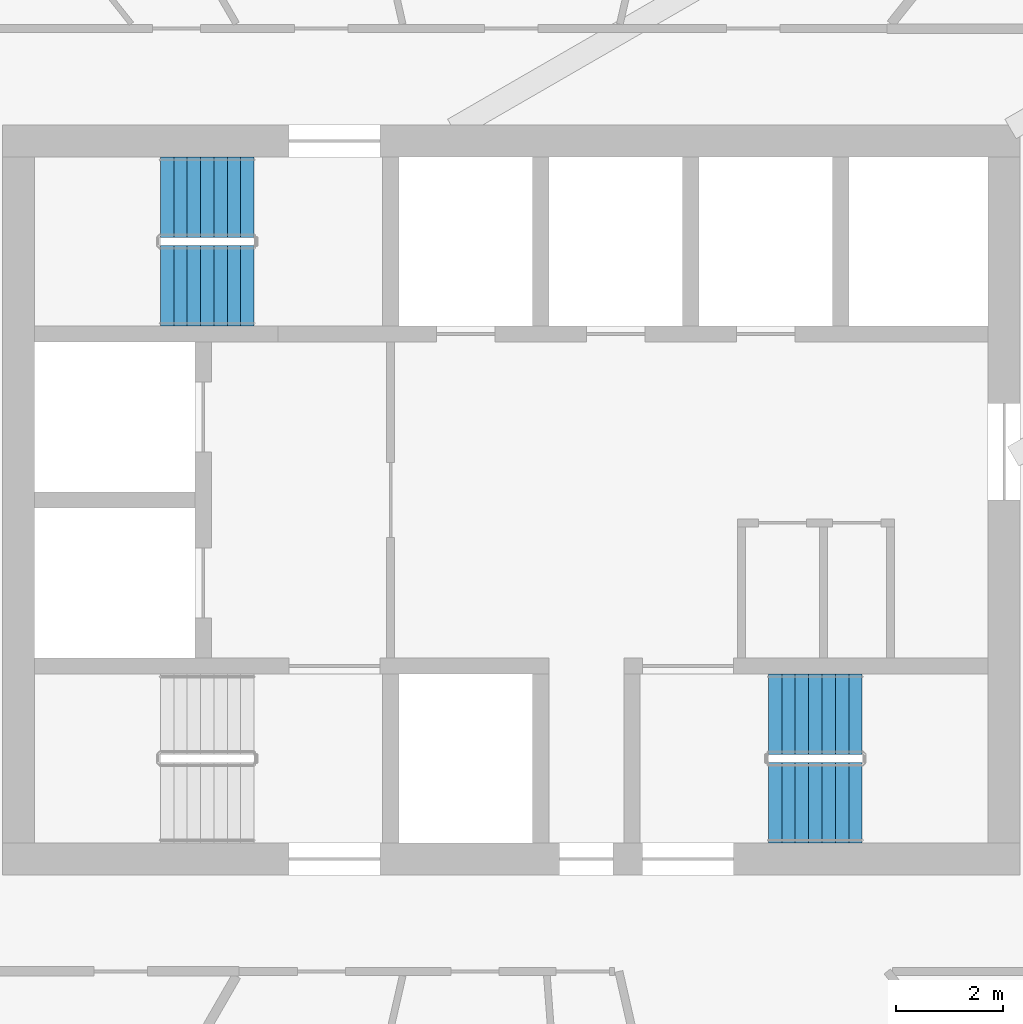
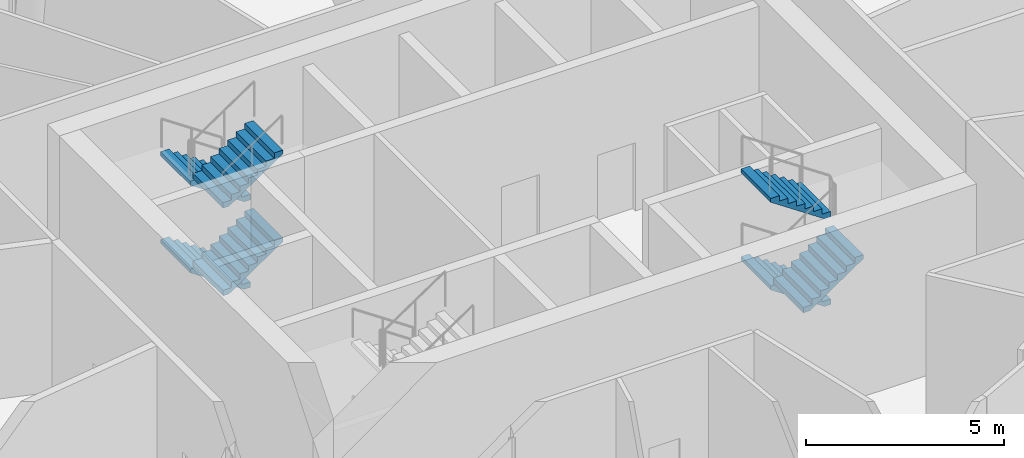
# One storey, part 8 of 10: 7 stair flights, 2 elements without a shape of their own.
"""IFC4 building model written with IfcOpenShell, lengths in metres."""

import ifcopenshell
import ifcopenshell.guid

model = None  # the IFC model being written
_history = None  # IfcOwnerHistory: only IFC2X3 demands one
_inside = {}  # id of a spatial element -> (the spatial element, [elements in it])
_under = {}  # id of a project, library or spatial element -> (it, [spatial elements below it])
_declared = {}  # id of a project -> (the project, [libraries it declares])
_typed = {}  # id of a type object -> (the type object, [elements of that type])
_made_of = {}  # id of a material, layer set ... -> (it, [elements and type objects made of it])


def new_model(schema):
    """Start an empty IFC model of exactly this schema.

    Asked for "IFC4X3", IfcOpenShell would pick the latest addendum, in which some entities
    have other attributes; the version numbers below select the first issue.
    IFC2X3 requires an IfcOwnerHistory on every rooted entity: one is made here for all.
    """
    global model, _history
    if schema == "IFC4X3":
        model = ifcopenshell.file(schema_version=(4, 3, 0, 0))
    else:
        model = ifcopenshell.file(schema=schema)
    _inside.clear()
    _under.clear()
    _declared.clear()
    _typed.clear()
    _made_of.clear()
    _history = None
    if model.schema == "IFC2X3":
        org = make("IfcOrganization", Name="unknown")
        user = make(
            "IfcPersonAndOrganization",
            ThePerson=make("IfcPerson", FamilyName="unknown"),
            TheOrganization=org,
        )
        app = make(
            "IfcApplication",
            ApplicationDeveloper=org,
            Version="unknown",
            ApplicationFullName="unknown",
            ApplicationIdentifier="unknown",
        )
        _history = make(
            "IfcOwnerHistory",
            OwningUser=user,
            OwningApplication=app,
            ChangeAction="ADDED",
            CreationDate=0,
        )
    return model


def make(cls, **values):
    """One entity of the class cls with the attributes given. An attribute that is None is left unset."""
    return model.create_entity(
        cls, **{name: value for name, value in values.items() if value is not None}
    )


def rooted(cls, **values):
    """An entity with a GlobalId (a new one), such as an element, a storey or a relation."""
    return make(cls, GlobalId=ifcopenshell.guid.new(), OwnerHistory=_history, **values)


def si_unit(unit_type, name, prefix=None):
    """IfcSIUnit, for example si_unit("LENGTHUNIT", "METRE", prefix="MILLI")."""
    return make("IfcSIUnit", UnitType=unit_type, Prefix=prefix, Name=name)


def assignment(units):
    """IfcUnitAssignment: the units of a project."""
    return None if units is None else make("IfcUnitAssignment", Units=units)


def point(xyz):
    """IfcCartesianPoint."""
    return None if xyz is None else make("IfcCartesianPoint", Coordinates=xyz)


def direction(xyz):
    """IfcDirection."""
    return None if xyz is None else make("IfcDirection", DirectionRatios=xyz)


def frame(location, z_axis=None, x_axis=None):
    """IfcAxis2Placement3D, a coordinate frame: its origin and axes. An axis left out is left unset."""
    return make(
        "IfcAxis2Placement3D",
        Location=point(location),
        Axis=direction(z_axis),
        RefDirection=direction(x_axis),
    )


def origin():
    """The frame at (0, 0, 0) with its axes left unset."""
    return frame((0.0, 0.0, 0.0))


def place(relative_to, where):
    """IfcLocalPlacement: puts the frame where relative to a parent placement (None: the world)."""
    return make(
        "IfcLocalPlacement", PlacementRelTo=relative_to, RelativePlacement=where
    )


def context(
    kind, dimensions, precision=None, world=None, true_north=None, identifier=None
):
    """IfcGeometricRepresentationContext, for example the 3D "Model" context."""
    return make(
        "IfcGeometricRepresentationContext",
        ContextIdentifier=identifier,
        ContextType=kind,
        CoordinateSpaceDimension=dimensions,
        Precision=precision,
        WorldCoordinateSystem=world,
        TrueNorth=true_north,
    )


def subcontext(parent, identifier, kind, view, scale=None):
    """IfcGeometricRepresentationSubContext, for example "Body" below "Model"."""
    return make(
        "IfcGeometricRepresentationSubContext",
        ContextIdentifier=identifier,
        ContextType=kind,
        ParentContext=parent,
        TargetScale=scale,
        TargetView=view,
    )


def project(units=None, contexts=None):
    """IfcProject with its units and contexts."""
    return rooted(
        "IfcProject",
        Name="project",
        RepresentationContexts=contexts,
        UnitsInContext=assignment(units),
    )


def spatial(cls, under=None, at=None, **own):
    """A site, building, storey or space (cls), placed at a placement, below another one or the project."""
    s = rooted(cls, ObjectPlacement=at, **own)
    if under is not None:
        _under.setdefault(under.id(), (under, []))[1].append(s)
    return s


def polyline(points):
    """IfcPolyline through the points."""
    return make("IfcPolyline", Points=[point(p) for p in points])


def outline(outer, holes=None, kind="AREA"):
    """IfcArbitraryClosedProfileDef: a profile drawn as a closed curve; with holes, ...WithVoids."""
    if holes is None:
        return make("IfcArbitraryClosedProfileDef", ProfileType=kind, OuterCurve=outer)
    return make(
        "IfcArbitraryProfileDefWithVoids",
        ProfileType=kind,
        OuterCurve=outer,
        InnerCurves=holes,
    )


def extrude(swept, where, along, depth):
    """IfcExtrudedAreaSolid: the profile swept, set in the frame where, extruded along a direction by depth."""
    return make(
        "IfcExtrudedAreaSolid",
        SweptArea=swept,
        Position=where,
        ExtrudedDirection=direction(along),
        Depth=depth,
    )


def shape(context_of_items, identifier, shape_type, items):
    """IfcShapeRepresentation: the items that make up one representation, for example the "Body"."""
    return make(
        "IfcShapeRepresentation",
        ContextOfItems=context_of_items,
        RepresentationIdentifier=identifier,
        RepresentationType=shape_type,
        Items=items,
    )


def material(Name=None, Category=None):
    """IfcMaterial."""
    return make("IfcMaterial", Name=Name, Category=Category)


def made_of(thing, what):
    """Note that an element or type object is made of a material, layer set ...; save() writes the relation."""
    if what is not None:
        _made_of.setdefault(what.id(), (what, []))[1].append(thing)
    return thing


def type_object(cls, material=None, **own):
    """A type object (cls), such as IfcWallType, which elements share."""
    return made_of(rooted(cls, **own), material)


def element(
    cls,
    number,
    at=None,
    inside=None,
    cuts=None,
    type_object=None,
    material=None,
    context=None,
    identifier="Body",
    shape_type=None,
    held_by="IfcProductDefinitionShape",
    body=None,
    shapes=None,
    **own,
):
    """One element of the class cls, such as IfcWall. Its Tag is "e" and its number.

    at: its placement. inside: the storey or other place that contains it. cuts: it is an
    opening in that element (IfcRelVoidsElement). A single representation is given by context,
    identifier, shape_type and body (its items); several are given by shapes. held_by: the class
    of the entity that holds the representations. save() writes the other relations.
    """
    e = rooted(cls, Tag="e%d" % number, ObjectPlacement=at, **own)
    if body is not None:
        shapes = [shape(context, identifier, shape_type, body)]
    if shapes is not None:
        e.Representation = make(held_by, Representations=shapes)
    if inside is not None:
        _inside.setdefault(inside.id(), (inside, []))[1].append(e)
    if cuts is not None:
        rooted(
            "IfcRelVoidsElement", RelatingBuildingElement=cuts, RelatedOpeningElement=e
        )
    if type_object is not None:
        _typed.setdefault(type_object.id(), (type_object, []))[1].append(e)
    return made_of(e, material)


def aggregate(whole, parts):
    """IfcRelAggregates: a whole, such as a stair, and the parts it consists of."""
    return rooted("IfcRelAggregates", RelatingObject=whole, RelatedObjects=parts)


def save(model, path):
    """Write the relations noted so far, then the file.

    IfcRelAggregates (storeys below a building ...), IfcRelContainedInSpatialStructure (elements
    in a storey), IfcRelDefinesByType, IfcRelAssociatesMaterial and IfcRelDeclares: one each for
    every whole, place, type object, material and project.
    """
    for whole, parts in _under.values():
        aggregate(whole, parts)
    for where, things in _inside.values():
        rooted(
            "IfcRelContainedInSpatialStructure",
            RelatedElements=things,
            RelatingStructure=where,
        )
    for kind, things in _typed.values():
        rooted("IfcRelDefinesByType", RelatedObjects=things, RelatingType=kind)
    for what, things in _made_of.values():
        rooted("IfcRelAssociatesMaterial", RelatedObjects=things, RelatingMaterial=what)
    for by, libraries in _declared.values():
        rooted("IfcRelDeclares", RelatingContext=by, RelatedDefinitions=libraries)
    model.write(path)


model = new_model("IFC4")

# Units and contexts
model_context = context("Model", 3, precision=1e-05, world=origin(), true_north=direction((0.0, 1.0)))
body_context = subcontext(model_context, "Body", "Model", "MODEL_VIEW")
ifc_project = project(units=[si_unit("LENGTHUNIT", "METRE"), si_unit("AREAUNIT", "SQUARE_METRE"), si_unit("VOLUMEUNIT", "CUBIC_METRE"), si_unit("PLANEANGLEUNIT", "RADIAN"), si_unit("MASSUNIT", "GRAM", prefix="KILO")], contexts=[model_context])

# Site, building, storey
site_placement = place(None, origin())
site = spatial("IfcSite", under=ifc_project, at=site_placement, CompositionType="ELEMENT")
building_placement = place(site_placement, origin())
building = spatial("IfcBuilding", under=site, at=building_placement, Name="Tracery Tower", CompositionType="ELEMENT")
storey_placement = place(building_placement, frame((0.0, 0.0, 341.39990234375)))
storey = spatial("IfcBuildingStorey", under=building, at=storey_placement, Name="L88", CompositionType="ELEMENT", Elevation=341.39990234375)

# Stair, stair flights
ifc_material_1 = material(Name="Concrete C32/40", Category="concrete")
stair_type = type_object("IfcStairType", Name="Core stair 32 risers", PredefinedType="HALF_TURN_STAIR", material=ifc_material_1)
stair_1_placement = place(storey_placement, origin())
stair_1 = element("IfcStair", 1, at=stair_1_placement, inside=storey, type_object=stair_type, Name="L88 stair ST3", PredefinedType="HALF_TURN_STAIR")
ifc_material_2 = material(Name="Concrete C32/40", Category="concrete")
stair_flight_type = type_object("IfcStairFlightType", Name="Core stair flight 8 risers", PredefinedType="STRAIGHT", material=ifc_material_2)
stair_flight_1_placement = place(storey_placement, frame((-4.800048828125, 5.64990234375, 0.0), z_axis=(0.0, 0.0, 1.0), x_axis=(-1.0, 0.0, 0.0)))
stair_flight_1 = element("IfcStairFlight", 2, at=stair_flight_1_placement, type_object=stair_flight_type, Name="ST3 flight 1", NumberOfRisers=8, NumberOfTreads=7, PredefinedType="STRAIGHT", RiserHeight=0.16875, TreadLength=0.25, context=body_context, shape_type="SweptSolid", body=[
    extrude(outline(polyline([(0.0, 0.0), (0.0, 0.002685546875), (0.0, 0.005615234375), (0.0, 0.00830078125), (0.0, 0.010986328125), (0.0, 0.013916015625), (0.0, 0.0166015625), (0.0, 0.019287109375), (0.0, 0.022216796875), (0.0, 0.02490234375), (0.0, 0.027587890625), (0.0, 0.030517578125), (0.0, 0.033203125), (0.0, 0.035888671875), (0.0, 0.038818359375), (0.0, 0.04150390625), (0.0, 0.044189453125), (0.0, 0.047119140625), (0.0, 0.0498046875), (0.0, 0.052490234375), (0.0, 0.055419921875), (0.0, 0.05810546875), (0.0, 0.060791015625), (0.0, 0.063720703125), (0.0, 0.06640625), (0.0, 0.069091796875), (0.0, 0.072021484375), (0.0, 0.07470703125), (0.0, 0.077392578125), (0.0, 0.080322265625), (0.0, 0.0830078125), (0.0, 0.085693359375), (0.0, 0.088623046875), (0.0, 0.09130859375), (0.0, 0.093994140625), (0.0, 0.096923828125), (0.0, 0.099609375), (0.0, 0.102294921875), (0.0, 0.105224609375), (0.0, 0.10791015625), (0.0, 0.110595703125), (0.0, 0.113525390625), (0.0, 0.1162109375), (0.0, 0.118896484375), (0.0, 0.121826171875), (0.0, 0.12451171875), (0.0, 0.127197265625), (0.0, 0.130126953125), (0.0, 0.1328125), (0.0, 0.135498046875), (0.0, 0.138427734375), (0.0, 0.14111328125), (0.0, 0.143798828125), (0.0, 0.146728515625), (0.0, 0.1494140625), (0.0, 0.152099609375), (0.0, 0.155029296875), (0.0, 0.15771484375), (0.0, 0.160400390625), (0.0, 0.163330078125), (0.0, 0.166015625), (0.0, 0.168701171875), (0.25, 0.168701171875), (0.25, 0.33740234375), (0.5, 0.33740234375), (0.5, 0.50634765625), (0.75, 0.50634765625), (0.75, 0.675048828125), (1.0, 0.675048828125), (1.0, 0.84375), (1.25, 0.84375), (1.25, 1.012451171875), (1.5, 1.012451171875), (1.5, 1.18115234375), (1.75, 1.18115234375), (1.75, 1.17919921875), (1.75, 1.17724609375), (1.75, 1.17529296875), (1.75, 1.17333984375), (1.75, 1.17138671875), (1.75, 1.16943359375), (1.75, 1.16748046875), (1.75, 1.16552734375), (1.75, 1.163330078125), (1.75, 1.161376953125), (1.75, 1.159423828125), (1.75, 1.157470703125), (1.75, 1.155517578125), (1.75, 1.153564453125), (1.75, 1.151611328125), (1.75, 1.149658203125), (1.75, 1.147705078125), (1.75, 1.1455078125), (1.75, 1.1435546875), (1.75, 1.1416015625), (1.75, 1.1396484375), (1.75, 1.1376953125), (1.75, 1.1357421875), (1.75, 1.1337890625), (1.75, 1.1318359375), (1.75, 1.1298828125), (1.75, 1.127685546875), (1.75, 1.125732421875), (1.75, 1.123779296875), (1.75, 1.121826171875), (1.75, 1.119873046875), (1.75, 1.117919921875), (1.75, 1.115966796875), (1.75, 1.114013671875), (1.75, 1.112060546875), (1.75, 1.10986328125), (1.75, 1.10791015625), (1.75, 1.10595703125), (1.75, 1.10400390625), (1.75, 1.10205078125), (1.75, 1.10009765625), (1.75, 1.09814453125), (1.75, 1.09619140625), (1.75, 1.09423828125), (1.75, 1.092041015625), (1.75, 1.090087890625), (1.75, 1.088134765625), (1.75, 1.086181640625), (1.75, 1.084228515625), (1.75, 1.082275390625), (1.75, 1.080322265625), (1.75, 1.078369140625), (1.75, 1.076416015625), (1.75, 1.074462890625), (1.75, 1.072265625), (1.75, 1.0703125), (1.75, 1.068359375), (1.75, 1.06640625), (1.75, 1.064453125), (1.75, 1.0625), (1.75, 1.060546875), (0.178955078125, 0.0), (0.0, 0.0)])), frame((0.0, 0.75, 0.0), z_axis=(0.0, -1.0, 0.0), x_axis=(1.0, 0.0, 0.0)), (0.0, 0.0, 1.0), 1.5),
])
stair_flight_2_placement = place(storey_placement, frame((-6.550048828125, 4.0, 1.35009765625), z_axis=(0.0, 0.0, 1.0), x_axis=(1.0, 0.0, 0.0)))
stair_flight_2 = element("IfcStairFlight", 3, at=stair_flight_2_placement, type_object=stair_flight_type, Name="ST3 flight 2", NumberOfRisers=8, NumberOfTreads=7, PredefinedType="STRAIGHT", RiserHeight=0.16875, TreadLength=0.25, context=body_context, shape_type="SweptSolid", body=[
    extrude(outline(polyline([(0.0, 0.0), (0.0, 0.002685546875), (0.0, 0.005615234375), (0.0, 0.00830078125), (0.0, 0.010986328125), (0.0, 0.013916015625), (0.0, 0.0166015625), (0.0, 0.019287109375), (0.0, 0.022216796875), (0.0, 0.02490234375), (0.0, 0.027587890625), (0.0, 0.030517578125), (0.0, 0.033203125), (0.0, 0.035888671875), (0.0, 0.038818359375), (0.0, 0.04150390625), (0.0, 0.044189453125), (0.0, 0.047119140625), (0.0, 0.0498046875), (0.0, 0.052490234375), (0.0, 0.055419921875), (0.0, 0.05810546875), (0.0, 0.060791015625), (0.0, 0.063720703125), (0.0, 0.06640625), (0.0, 0.069091796875), (0.0, 0.072021484375), (0.0, 0.07470703125), (0.0, 0.077392578125), (0.0, 0.080322265625), (0.0, 0.0830078125), (0.0, 0.085693359375), (0.0, 0.088623046875), (0.0, 0.09130859375), (0.0, 0.093994140625), (0.0, 0.096923828125), (0.0, 0.099609375), (0.0, 0.102294921875), (0.0, 0.105224609375), (0.0, 0.10791015625), (0.0, 0.110595703125), (0.0, 0.113525390625), (0.0, 0.1162109375), (0.0, 0.118896484375), (0.0, 0.121826171875), (0.0, 0.12451171875), (0.0, 0.127197265625), (0.0, 0.130126953125), (0.0, 0.1328125), (0.0, 0.135498046875), (0.0, 0.138427734375), (0.0, 0.14111328125), (0.0, 0.143798828125), (0.0, 0.146728515625), (0.0, 0.1494140625), (0.0, 0.152099609375), (0.0, 0.155029296875), (0.0, 0.15771484375), (0.0, 0.160400390625), (0.0, 0.163330078125), (0.0, 0.166015625), (0.0, 0.168701171875), (0.25, 0.168701171875), (0.25, 0.33740234375), (0.5, 0.33740234375), (0.5, 0.50634765625), (0.75, 0.50634765625), (0.75, 0.675048828125), (1.0, 0.675048828125), (1.0, 0.84375), (1.25, 0.84375), (1.25, 1.012451171875), (1.5, 1.012451171875), (1.5, 1.18115234375), (1.75, 1.18115234375), (1.75, 1.17919921875), (1.75, 1.17724609375), (1.75, 1.17529296875), (1.75, 1.17333984375), (1.75, 1.17138671875), (1.75, 1.16943359375), (1.75, 1.16748046875), (1.75, 1.16552734375), (1.75, 1.163330078125), (1.75, 1.161376953125), (1.75, 1.159423828125), (1.75, 1.157470703125), (1.75, 1.155517578125), (1.75, 1.153564453125), (1.75, 1.151611328125), (1.75, 1.149658203125), (1.75, 1.147705078125), (1.75, 1.1455078125), (1.75, 1.1435546875), (1.75, 1.1416015625), (1.75, 1.1396484375), (1.75, 1.1376953125), (1.75, 1.1357421875), (1.75, 1.1337890625), (1.75, 1.1318359375), (1.75, 1.1298828125), (1.75, 1.127685546875), (1.75, 1.125732421875), (1.75, 1.123779296875), (1.75, 1.121826171875), (1.75, 1.119873046875), (1.75, 1.117919921875), (1.75, 1.115966796875), (1.75, 1.114013671875), (1.75, 1.112060546875), (1.75, 1.10986328125), (1.75, 1.10791015625), (1.75, 1.10595703125), (1.75, 1.10400390625), (1.75, 1.10205078125), (1.75, 1.10009765625), (1.75, 1.09814453125), (1.75, 1.09619140625), (1.75, 1.09423828125), (1.75, 1.092041015625), (1.75, 1.090087890625), (1.75, 1.088134765625), (1.75, 1.086181640625), (1.75, 1.084228515625), (1.75, 1.082275390625), (1.75, 1.080322265625), (1.75, 1.078369140625), (1.75, 1.076416015625), (1.75, 1.074462890625), (1.75, 1.072265625), (1.75, 1.0703125), (1.75, 1.068359375), (1.75, 1.06640625), (1.75, 1.064453125), (1.75, 1.0625), (1.75, 1.060546875), (0.178955078125, 0.0), (0.0, 0.0)])), frame((0.0, 0.75, 0.0), z_axis=(0.0, -1.0, 0.0), x_axis=(1.0, 0.0, 0.0)), (0.0, 0.0, 1.0), 1.5),
])
stair_flight_3_placement = place(storey_placement, frame((-4.800048828125, 5.64990234375, 2.7001953125), z_axis=(0.0, 0.0, 1.0), x_axis=(-1.0, 0.0, 0.0)))
stair_flight_3 = element("IfcStairFlight", 4, at=stair_flight_3_placement, type_object=stair_flight_type, Name="ST3 flight 3", NumberOfRisers=8, NumberOfTreads=7, PredefinedType="STRAIGHT", RiserHeight=0.16875, TreadLength=0.25, context=body_context, shape_type="SweptSolid", body=[
    extrude(outline(polyline([(0.0, 0.0), (0.0, 0.002685546875), (0.0, 0.005615234375), (0.0, 0.00830078125), (0.0, 0.010986328125), (0.0, 0.013916015625), (0.0, 0.0166015625), (0.0, 0.019287109375), (0.0, 0.022216796875), (0.0, 0.02490234375), (0.0, 0.027587890625), (0.0, 0.030517578125), (0.0, 0.033203125), (0.0, 0.035888671875), (0.0, 0.038818359375), (0.0, 0.04150390625), (0.0, 0.044189453125), (0.0, 0.047119140625), (0.0, 0.0498046875), (0.0, 0.052490234375), (0.0, 0.055419921875), (0.0, 0.05810546875), (0.0, 0.060791015625), (0.0, 0.063720703125), (0.0, 0.06640625), (0.0, 0.069091796875), (0.0, 0.072021484375), (0.0, 0.07470703125), (0.0, 0.077392578125), (0.0, 0.080322265625), (0.0, 0.0830078125), (0.0, 0.085693359375), (0.0, 0.088623046875), (0.0, 0.09130859375), (0.0, 0.093994140625), (0.0, 0.096923828125), (0.0, 0.099609375), (0.0, 0.102294921875), (0.0, 0.105224609375), (0.0, 0.10791015625), (0.0, 0.110595703125), (0.0, 0.113525390625), (0.0, 0.1162109375), (0.0, 0.118896484375), (0.0, 0.121826171875), (0.0, 0.12451171875), (0.0, 0.127197265625), (0.0, 0.130126953125), (0.0, 0.1328125), (0.0, 0.135498046875), (0.0, 0.138427734375), (0.0, 0.14111328125), (0.0, 0.143798828125), (0.0, 0.146728515625), (0.0, 0.1494140625), (0.0, 0.152099609375), (0.0, 0.155029296875), (0.0, 0.15771484375), (0.0, 0.160400390625), (0.0, 0.163330078125), (0.0, 0.166015625), (0.0, 0.168701171875), (0.25, 0.168701171875), (0.25, 0.33740234375), (0.5, 0.33740234375), (0.5, 0.50634765625), (0.75, 0.50634765625), (0.75, 0.675048828125), (1.0, 0.675048828125), (1.0, 0.84375), (1.25, 0.84375), (1.25, 1.012451171875), (1.5, 1.012451171875), (1.5, 1.18115234375), (1.75, 1.18115234375), (1.75, 1.17919921875), (1.75, 1.17724609375), (1.75, 1.17529296875), (1.75, 1.17333984375), (1.75, 1.17138671875), (1.75, 1.16943359375), (1.75, 1.16748046875), (1.75, 1.16552734375), (1.75, 1.163330078125), (1.75, 1.161376953125), (1.75, 1.159423828125), (1.75, 1.157470703125), (1.75, 1.155517578125), (1.75, 1.153564453125), (1.75, 1.151611328125), (1.75, 1.149658203125), (1.75, 1.147705078125), (1.75, 1.1455078125), (1.75, 1.1435546875), (1.75, 1.1416015625), (1.75, 1.1396484375), (1.75, 1.1376953125), (1.75, 1.1357421875), (1.75, 1.1337890625), (1.75, 1.1318359375), (1.75, 1.1298828125), (1.75, 1.127685546875), (1.75, 1.125732421875), (1.75, 1.123779296875), (1.75, 1.121826171875), (1.75, 1.119873046875), (1.75, 1.117919921875), (1.75, 1.115966796875), (1.75, 1.114013671875), (1.75, 1.112060546875), (1.75, 1.10986328125), (1.75, 1.10791015625), (1.75, 1.10595703125), (1.75, 1.10400390625), (1.75, 1.10205078125), (1.75, 1.10009765625), (1.75, 1.09814453125), (1.75, 1.09619140625), (1.75, 1.09423828125), (1.75, 1.092041015625), (1.75, 1.090087890625), (1.75, 1.088134765625), (1.75, 1.086181640625), (1.75, 1.084228515625), (1.75, 1.082275390625), (1.75, 1.080322265625), (1.75, 1.078369140625), (1.75, 1.076416015625), (1.75, 1.074462890625), (1.75, 1.072265625), (1.75, 1.0703125), (1.75, 1.068359375), (1.75, 1.06640625), (1.75, 1.064453125), (1.75, 1.0625), (1.75, 1.060546875), (0.178955078125, 0.0), (0.0, 0.0)])), frame((0.0, 0.75, 0.0), z_axis=(0.0, -1.0, 0.0), x_axis=(1.0, 0.0, 0.0)), (0.0, 0.0, 1.0), 1.5),
])
stair_flight_4_placement = place(storey_placement, frame((-6.550048828125, 4.0, 4.050048828125), z_axis=(0.0, 0.0, 1.0), x_axis=(1.0, 0.0, 0.0)))
stair_flight_4 = element("IfcStairFlight", 5, at=stair_flight_4_placement, type_object=stair_flight_type, Name="ST3 flight 4", NumberOfRisers=8, NumberOfTreads=7, PredefinedType="STRAIGHT", RiserHeight=0.16875, TreadLength=0.25, context=body_context, shape_type="SweptSolid", body=[
    extrude(outline(polyline([(0.0, 0.0), (0.0, 0.002685546875), (0.0, 0.005615234375), (0.0, 0.00830078125), (0.0, 0.010986328125), (0.0, 0.013916015625), (0.0, 0.0166015625), (0.0, 0.019287109375), (0.0, 0.022216796875), (0.0, 0.02490234375), (0.0, 0.027587890625), (0.0, 0.030517578125), (0.0, 0.033203125), (0.0, 0.035888671875), (0.0, 0.038818359375), (0.0, 0.04150390625), (0.0, 0.044189453125), (0.0, 0.047119140625), (0.0, 0.0498046875), (0.0, 0.052490234375), (0.0, 0.055419921875), (0.0, 0.05810546875), (0.0, 0.060791015625), (0.0, 0.063720703125), (0.0, 0.06640625), (0.0, 0.069091796875), (0.0, 0.072021484375), (0.0, 0.07470703125), (0.0, 0.077392578125), (0.0, 0.080322265625), (0.0, 0.0830078125), (0.0, 0.085693359375), (0.0, 0.088623046875), (0.0, 0.09130859375), (0.0, 0.093994140625), (0.0, 0.096923828125), (0.0, 0.099609375), (0.0, 0.102294921875), (0.0, 0.105224609375), (0.0, 0.10791015625), (0.0, 0.110595703125), (0.0, 0.113525390625), (0.0, 0.1162109375), (0.0, 0.118896484375), (0.0, 0.121826171875), (0.0, 0.12451171875), (0.0, 0.127197265625), (0.0, 0.130126953125), (0.0, 0.1328125), (0.0, 0.135498046875), (0.0, 0.138427734375), (0.0, 0.14111328125), (0.0, 0.143798828125), (0.0, 0.146728515625), (0.0, 0.1494140625), (0.0, 0.152099609375), (0.0, 0.155029296875), (0.0, 0.15771484375), (0.0, 0.160400390625), (0.0, 0.163330078125), (0.0, 0.166015625), (0.0, 0.168701171875), (0.25, 0.168701171875), (0.25, 0.33740234375), (0.5, 0.33740234375), (0.5, 0.50634765625), (0.75, 0.50634765625), (0.75, 0.675048828125), (1.0, 0.675048828125), (1.0, 0.84375), (1.25, 0.84375), (1.25, 1.012451171875), (1.5, 1.012451171875), (1.5, 1.18115234375), (1.75, 1.18115234375), (1.75, 1.17919921875), (1.75, 1.17724609375), (1.75, 1.17529296875), (1.75, 1.17333984375), (1.75, 1.17138671875), (1.75, 1.16943359375), (1.75, 1.16748046875), (1.75, 1.16552734375), (1.75, 1.163330078125), (1.75, 1.161376953125), (1.75, 1.159423828125), (1.75, 1.157470703125), (1.75, 1.155517578125), (1.75, 1.153564453125), (1.75, 1.151611328125), (1.75, 1.149658203125), (1.75, 1.147705078125), (1.75, 1.1455078125), (1.75, 1.1435546875), (1.75, 1.1416015625), (1.75, 1.1396484375), (1.75, 1.1376953125), (1.75, 1.1357421875), (1.75, 1.1337890625), (1.75, 1.1318359375), (1.75, 1.1298828125), (1.75, 1.127685546875), (1.75, 1.125732421875), (1.75, 1.123779296875), (1.75, 1.121826171875), (1.75, 1.119873046875), (1.75, 1.117919921875), (1.75, 1.115966796875), (1.75, 1.114013671875), (1.75, 1.112060546875), (1.75, 1.10986328125), (1.75, 1.10791015625), (1.75, 1.10595703125), (1.75, 1.10400390625), (1.75, 1.10205078125), (1.75, 1.10009765625), (1.75, 1.09814453125), (1.75, 1.09619140625), (1.75, 1.09423828125), (1.75, 1.092041015625), (1.75, 1.090087890625), (1.75, 1.088134765625), (1.75, 1.086181640625), (1.75, 1.084228515625), (1.75, 1.082275390625), (1.75, 1.080322265625), (1.75, 1.078369140625), (1.75, 1.076416015625), (1.75, 1.074462890625), (1.75, 1.072265625), (1.75, 1.0703125), (1.75, 1.068359375), (1.75, 1.06640625), (1.75, 1.064453125), (1.75, 1.0625), (1.75, 1.060546875), (0.178955078125, 0.0), (0.0, 0.0)])), frame((0.0, 0.75, 0.0), z_axis=(0.0, -1.0, 0.0), x_axis=(1.0, 0.0, 0.0)), (0.0, 0.0, 1.0), 1.5),
])
aggregate(stair_1, [stair_flight_1, stair_flight_2, stair_flight_3, stair_flight_4])

stair_2_placement = place(storey_placement, origin())
stair_2 = element("IfcStair", 6, at=stair_2_placement, inside=storey, type_object=stair_type, Name="L88 stair ST2", PredefinedType="HALF_TURN_STAIR")
stair_flight_5_placement = place(storey_placement, frame((6.550048828125, -4.0, 1.35009765625), z_axis=(0.0, 0.0, 1.0), x_axis=(-1.0, 0.0, 0.0)))
stair_flight_5 = element("IfcStairFlight", 7, at=stair_flight_5_placement, type_object=stair_flight_type, Name="ST2 flight 2", NumberOfRisers=8, NumberOfTreads=7, PredefinedType="STRAIGHT", RiserHeight=0.16875, TreadLength=0.25, context=body_context, shape_type="SweptSolid", body=[
    extrude(outline(polyline([(0.0, 0.0), (0.0, 0.002685546875), (0.0, 0.005615234375), (0.0, 0.00830078125), (0.0, 0.010986328125), (0.0, 0.013916015625), (0.0, 0.0166015625), (0.0, 0.019287109375), (0.0, 0.022216796875), (0.0, 0.02490234375), (0.0, 0.027587890625), (0.0, 0.030517578125), (0.0, 0.033203125), (0.0, 0.035888671875), (0.0, 0.038818359375), (0.0, 0.04150390625), (0.0, 0.044189453125), (0.0, 0.047119140625), (0.0, 0.0498046875), (0.0, 0.052490234375), (0.0, 0.055419921875), (0.0, 0.05810546875), (0.0, 0.060791015625), (0.0, 0.063720703125), (0.0, 0.06640625), (0.0, 0.069091796875), (0.0, 0.072021484375), (0.0, 0.07470703125), (0.0, 0.077392578125), (0.0, 0.080322265625), (0.0, 0.0830078125), (0.0, 0.085693359375), (0.0, 0.088623046875), (0.0, 0.09130859375), (0.0, 0.093994140625), (0.0, 0.096923828125), (0.0, 0.099609375), (0.0, 0.102294921875), (0.0, 0.105224609375), (0.0, 0.10791015625), (0.0, 0.110595703125), (0.0, 0.113525390625), (0.0, 0.1162109375), (0.0, 0.118896484375), (0.0, 0.121826171875), (0.0, 0.12451171875), (0.0, 0.127197265625), (0.0, 0.130126953125), (0.0, 0.1328125), (0.0, 0.135498046875), (0.0, 0.138427734375), (0.0, 0.14111328125), (0.0, 0.143798828125), (0.0, 0.146728515625), (0.0, 0.1494140625), (0.0, 0.152099609375), (0.0, 0.155029296875), (0.0, 0.15771484375), (0.0, 0.160400390625), (0.0, 0.163330078125), (0.0, 0.166015625), (0.0, 0.168701171875), (0.25, 0.168701171875), (0.25, 0.33740234375), (0.5, 0.33740234375), (0.5, 0.50634765625), (0.75, 0.50634765625), (0.75, 0.675048828125), (1.0, 0.675048828125), (1.0, 0.84375), (1.25, 0.84375), (1.25, 1.012451171875), (1.5, 1.012451171875), (1.5, 1.18115234375), (1.75, 1.18115234375), (1.75, 1.17919921875), (1.75, 1.17724609375), (1.75, 1.17529296875), (1.75, 1.17333984375), (1.75, 1.17138671875), (1.75, 1.16943359375), (1.75, 1.16748046875), (1.75, 1.16552734375), (1.75, 1.163330078125), (1.75, 1.161376953125), (1.75, 1.159423828125), (1.75, 1.157470703125), (1.75, 1.155517578125), (1.75, 1.153564453125), (1.75, 1.151611328125), (1.75, 1.149658203125), (1.75, 1.147705078125), (1.75, 1.1455078125), (1.75, 1.1435546875), (1.75, 1.1416015625), (1.75, 1.1396484375), (1.75, 1.1376953125), (1.75, 1.1357421875), (1.75, 1.1337890625), (1.75, 1.1318359375), (1.75, 1.1298828125), (1.75, 1.127685546875), (1.75, 1.125732421875), (1.75, 1.123779296875), (1.75, 1.121826171875), (1.75, 1.119873046875), (1.75, 1.117919921875), (1.75, 1.115966796875), (1.75, 1.114013671875), (1.75, 1.112060546875), (1.75, 1.10986328125), (1.75, 1.10791015625), (1.75, 1.10595703125), (1.75, 1.10400390625), (1.75, 1.10205078125), (1.75, 1.10009765625), (1.75, 1.09814453125), (1.75, 1.09619140625), (1.75, 1.09423828125), (1.75, 1.092041015625), (1.75, 1.090087890625), (1.75, 1.088134765625), (1.75, 1.086181640625), (1.75, 1.084228515625), (1.75, 1.082275390625), (1.75, 1.080322265625), (1.75, 1.078369140625), (1.75, 1.076416015625), (1.75, 1.074462890625), (1.75, 1.072265625), (1.75, 1.0703125), (1.75, 1.068359375), (1.75, 1.06640625), (1.75, 1.064453125), (1.75, 1.0625), (1.75, 1.060546875), (0.178955078125, 0.0), (0.0, 0.0)])), frame((0.0, 0.75, 0.0), z_axis=(0.0, -1.0, 0.0), x_axis=(1.0, 0.0, 0.0)), (0.0, 0.0, 1.0), 1.5),
])
stair_flight_6_placement = place(storey_placement, frame((4.800048828125, -5.64990234375, 2.7001953125), z_axis=(0.0, 0.0, 1.0), x_axis=(1.0, 0.0, 0.0)))
stair_flight_6 = element("IfcStairFlight", 8, at=stair_flight_6_placement, type_object=stair_flight_type, Name="ST2 flight 3", NumberOfRisers=8, NumberOfTreads=7, PredefinedType="STRAIGHT", RiserHeight=0.16875, TreadLength=0.25, context=body_context, shape_type="SweptSolid", body=[
    extrude(outline(polyline([(0.0, 0.0), (0.0, 0.002685546875), (0.0, 0.005615234375), (0.0, 0.00830078125), (0.0, 0.010986328125), (0.0, 0.013916015625), (0.0, 0.0166015625), (0.0, 0.019287109375), (0.0, 0.022216796875), (0.0, 0.02490234375), (0.0, 0.027587890625), (0.0, 0.030517578125), (0.0, 0.033203125), (0.0, 0.035888671875), (0.0, 0.038818359375), (0.0, 0.04150390625), (0.0, 0.044189453125), (0.0, 0.047119140625), (0.0, 0.0498046875), (0.0, 0.052490234375), (0.0, 0.055419921875), (0.0, 0.05810546875), (0.0, 0.060791015625), (0.0, 0.063720703125), (0.0, 0.06640625), (0.0, 0.069091796875), (0.0, 0.072021484375), (0.0, 0.07470703125), (0.0, 0.077392578125), (0.0, 0.080322265625), (0.0, 0.0830078125), (0.0, 0.085693359375), (0.0, 0.088623046875), (0.0, 0.09130859375), (0.0, 0.093994140625), (0.0, 0.096923828125), (0.0, 0.099609375), (0.0, 0.102294921875), (0.0, 0.105224609375), (0.0, 0.10791015625), (0.0, 0.110595703125), (0.0, 0.113525390625), (0.0, 0.1162109375), (0.0, 0.118896484375), (0.0, 0.121826171875), (0.0, 0.12451171875), (0.0, 0.127197265625), (0.0, 0.130126953125), (0.0, 0.1328125), (0.0, 0.135498046875), (0.0, 0.138427734375), (0.0, 0.14111328125), (0.0, 0.143798828125), (0.0, 0.146728515625), (0.0, 0.1494140625), (0.0, 0.152099609375), (0.0, 0.155029296875), (0.0, 0.15771484375), (0.0, 0.160400390625), (0.0, 0.163330078125), (0.0, 0.166015625), (0.0, 0.168701171875), (0.25, 0.168701171875), (0.25, 0.33740234375), (0.5, 0.33740234375), (0.5, 0.50634765625), (0.75, 0.50634765625), (0.75, 0.675048828125), (1.0, 0.675048828125), (1.0, 0.84375), (1.25, 0.84375), (1.25, 1.012451171875), (1.5, 1.012451171875), (1.5, 1.18115234375), (1.75, 1.18115234375), (1.75, 1.17919921875), (1.75, 1.17724609375), (1.75, 1.17529296875), (1.75, 1.17333984375), (1.75, 1.17138671875), (1.75, 1.16943359375), (1.75, 1.16748046875), (1.75, 1.16552734375), (1.75, 1.163330078125), (1.75, 1.161376953125), (1.75, 1.159423828125), (1.75, 1.157470703125), (1.75, 1.155517578125), (1.75, 1.153564453125), (1.75, 1.151611328125), (1.75, 1.149658203125), (1.75, 1.147705078125), (1.75, 1.1455078125), (1.75, 1.1435546875), (1.75, 1.1416015625), (1.75, 1.1396484375), (1.75, 1.1376953125), (1.75, 1.1357421875), (1.75, 1.1337890625), (1.75, 1.1318359375), (1.75, 1.1298828125), (1.75, 1.127685546875), (1.75, 1.125732421875), (1.75, 1.123779296875), (1.75, 1.121826171875), (1.75, 1.119873046875), (1.75, 1.117919921875), (1.75, 1.115966796875), (1.75, 1.114013671875), (1.75, 1.112060546875), (1.75, 1.10986328125), (1.75, 1.10791015625), (1.75, 1.10595703125), (1.75, 1.10400390625), (1.75, 1.10205078125), (1.75, 1.10009765625), (1.75, 1.09814453125), (1.75, 1.09619140625), (1.75, 1.09423828125), (1.75, 1.092041015625), (1.75, 1.090087890625), (1.75, 1.088134765625), (1.75, 1.086181640625), (1.75, 1.084228515625), (1.75, 1.082275390625), (1.75, 1.080322265625), (1.75, 1.078369140625), (1.75, 1.076416015625), (1.75, 1.074462890625), (1.75, 1.072265625), (1.75, 1.0703125), (1.75, 1.068359375), (1.75, 1.06640625), (1.75, 1.064453125), (1.75, 1.0625), (1.75, 1.060546875), (0.178955078125, 0.0), (0.0, 0.0)])), frame((0.0, 0.75, 0.0), z_axis=(0.0, -1.0, 0.0), x_axis=(1.0, 0.0, 0.0)), (0.0, 0.0, 1.0), 1.5),
])
stair_flight_7_placement = place(storey_placement, frame((6.550048828125, -4.0, 4.050048828125), z_axis=(0.0, 0.0, 1.0), x_axis=(-1.0, 0.0, 0.0)))
stair_flight_7 = element("IfcStairFlight", 9, at=stair_flight_7_placement, type_object=stair_flight_type, Name="ST2 flight 4", NumberOfRisers=8, NumberOfTreads=7, PredefinedType="STRAIGHT", RiserHeight=0.16875, TreadLength=0.25, context=body_context, shape_type="SweptSolid", body=[
    extrude(outline(polyline([(0.0, 0.0), (0.0, 0.002685546875), (0.0, 0.005615234375), (0.0, 0.00830078125), (0.0, 0.010986328125), (0.0, 0.013916015625), (0.0, 0.0166015625), (0.0, 0.019287109375), (0.0, 0.022216796875), (0.0, 0.02490234375), (0.0, 0.027587890625), (0.0, 0.030517578125), (0.0, 0.033203125), (0.0, 0.035888671875), (0.0, 0.038818359375), (0.0, 0.04150390625), (0.0, 0.044189453125), (0.0, 0.047119140625), (0.0, 0.0498046875), (0.0, 0.052490234375), (0.0, 0.055419921875), (0.0, 0.05810546875), (0.0, 0.060791015625), (0.0, 0.063720703125), (0.0, 0.06640625), (0.0, 0.069091796875), (0.0, 0.072021484375), (0.0, 0.07470703125), (0.0, 0.077392578125), (0.0, 0.080322265625), (0.0, 0.0830078125), (0.0, 0.085693359375), (0.0, 0.088623046875), (0.0, 0.09130859375), (0.0, 0.093994140625), (0.0, 0.096923828125), (0.0, 0.099609375), (0.0, 0.102294921875), (0.0, 0.105224609375), (0.0, 0.10791015625), (0.0, 0.110595703125), (0.0, 0.113525390625), (0.0, 0.1162109375), (0.0, 0.118896484375), (0.0, 0.121826171875), (0.0, 0.12451171875), (0.0, 0.127197265625), (0.0, 0.130126953125), (0.0, 0.1328125), (0.0, 0.135498046875), (0.0, 0.138427734375), (0.0, 0.14111328125), (0.0, 0.143798828125), (0.0, 0.146728515625), (0.0, 0.1494140625), (0.0, 0.152099609375), (0.0, 0.155029296875), (0.0, 0.15771484375), (0.0, 0.160400390625), (0.0, 0.163330078125), (0.0, 0.166015625), (0.0, 0.168701171875), (0.25, 0.168701171875), (0.25, 0.33740234375), (0.5, 0.33740234375), (0.5, 0.50634765625), (0.75, 0.50634765625), (0.75, 0.675048828125), (1.0, 0.675048828125), (1.0, 0.84375), (1.25, 0.84375), (1.25, 1.012451171875), (1.5, 1.012451171875), (1.5, 1.18115234375), (1.75, 1.18115234375), (1.75, 1.17919921875), (1.75, 1.17724609375), (1.75, 1.17529296875), (1.75, 1.17333984375), (1.75, 1.17138671875), (1.75, 1.16943359375), (1.75, 1.16748046875), (1.75, 1.16552734375), (1.75, 1.163330078125), (1.75, 1.161376953125), (1.75, 1.159423828125), (1.75, 1.157470703125), (1.75, 1.155517578125), (1.75, 1.153564453125), (1.75, 1.151611328125), (1.75, 1.149658203125), (1.75, 1.147705078125), (1.75, 1.1455078125), (1.75, 1.1435546875), (1.75, 1.1416015625), (1.75, 1.1396484375), (1.75, 1.1376953125), (1.75, 1.1357421875), (1.75, 1.1337890625), (1.75, 1.1318359375), (1.75, 1.1298828125), (1.75, 1.127685546875), (1.75, 1.125732421875), (1.75, 1.123779296875), (1.75, 1.121826171875), (1.75, 1.119873046875), (1.75, 1.117919921875), (1.75, 1.115966796875), (1.75, 1.114013671875), (1.75, 1.112060546875), (1.75, 1.10986328125), (1.75, 1.10791015625), (1.75, 1.10595703125), (1.75, 1.10400390625), (1.75, 1.10205078125), (1.75, 1.10009765625), (1.75, 1.09814453125), (1.75, 1.09619140625), (1.75, 1.09423828125), (1.75, 1.092041015625), (1.75, 1.090087890625), (1.75, 1.088134765625), (1.75, 1.086181640625), (1.75, 1.084228515625), (1.75, 1.082275390625), (1.75, 1.080322265625), (1.75, 1.078369140625), (1.75, 1.076416015625), (1.75, 1.074462890625), (1.75, 1.072265625), (1.75, 1.0703125), (1.75, 1.068359375), (1.75, 1.06640625), (1.75, 1.064453125), (1.75, 1.0625), (1.75, 1.060546875), (0.178955078125, 0.0), (0.0, 0.0)])), frame((0.0, 0.75, 0.0), z_axis=(0.0, -1.0, 0.0), x_axis=(1.0, 0.0, 0.0)), (0.0, 0.0, 1.0), 1.5),
])
aggregate(stair_2, [stair_flight_5, stair_flight_6, stair_flight_7])

save(model, "model.ifc")
